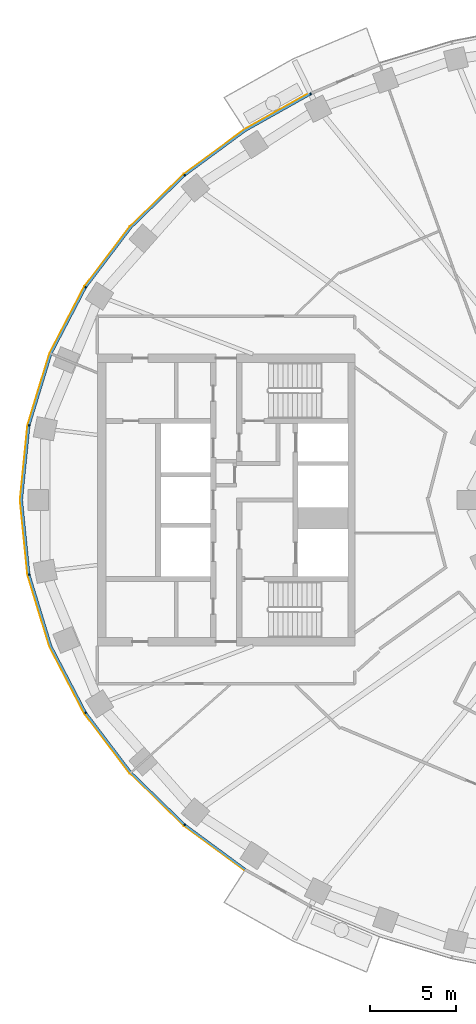
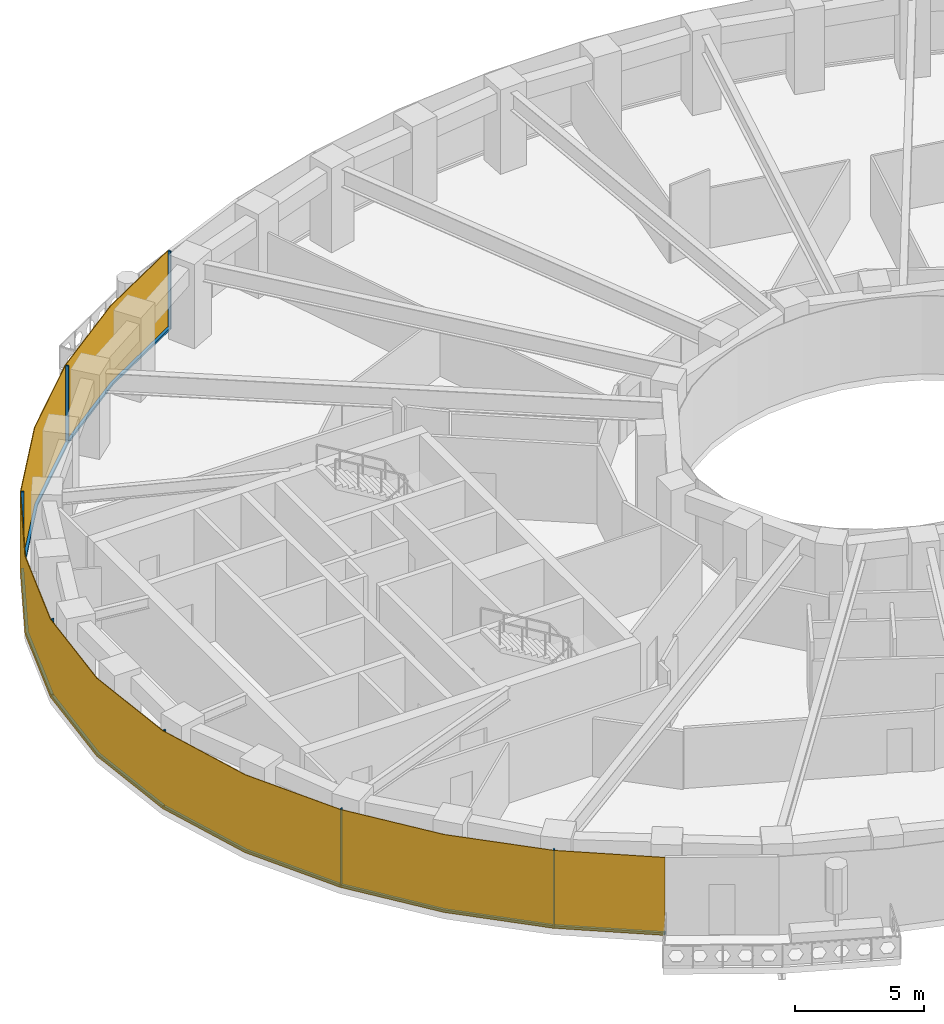
# One storey, part 8 of 15: 14 members, 1 curtain wall.
"""IFC4 building model written with IfcOpenShell, lengths in metres."""

from ifc_helpers import new_model, si_unit, direction, frame, origin, origin_2d, place, context, subcontext, project, spatial, polyline, rectangle, outline, extrude, material, layer, layer_set, material_profile, profile_set, type_object, element, aggregate, save


model = new_model("IFC4")

# Units and contexts
model_context = context("Model", 3, precision=1e-05, world=origin(), true_north=direction((0.0, 1.0)))
body_context = subcontext(model_context, "Body", "Model", "MODEL_VIEW")
ifc_project = project(units=[si_unit("LENGTHUNIT", "METRE"), si_unit("AREAUNIT", "SQUARE_METRE"), si_unit("VOLUMEUNIT", "CUBIC_METRE"), si_unit("PLANEANGLEUNIT", "RADIAN"), si_unit("MASSUNIT", "GRAM", prefix="KILO")], contexts=[model_context])

# Member
ifc_material_1 = material(Name="Aluminium 6063-T6 black anodised", Category="aluminium")
ifc_material_profile = material_profile(ifc_material_1, rectangle(XDim=0.1201171875, YDim=0.06005859375, at=origin_2d()), Name="120x60")
ifc_profile_set = profile_set([ifc_material_profile], Name="Aluminium 6063-T6 black anodised")
member_type_1 = type_object("IfcMemberType", Name="ENV-MULLION-A-120", PredefinedType="MULLION", material=ifc_profile_set)
site_placement = place(None, origin())
building_placement = place(site_placement, origin())
storey_placement = place(building_placement, frame((0.0, 0.0, 170.0)))
member_1_placement = place(storey_placement, frame((-19.06787109375, 23.6474609375, 0.0), z_axis=(0.0, 0.0, 1.0), x_axis=(0.439237769837, -0.898370848563, 0.0)))
member_1 = element("IfcMember", 1, at=member_1_placement, type_object=member_type_1, Name="Mullion A radial 17", PredefinedType="MULLION", context=body_context, shape_type="SweptSolid", body=[
    extrude(rectangle(XDim=0.1201171875, YDim=0.06005859375, at=origin_2d()), origin(), (0.0, 0.0, 1.0), 3.699951171875),
])

member_2_placement = place(storey_placement, frame((-26.403564453125, 18.9130859375, 0.0), z_axis=(0.0, 0.0, 1.0), x_axis=(0.646451313783, -0.762955240435, 0.0)))
member_2 = element("IfcMember", 2, at=member_2_placement, type_object=member_type_1, Name="Mullion A radial 19", PredefinedType="MULLION", context=body_context, shape_type="SweptSolid", body=[
    extrude(rectangle(XDim=0.1201171875, YDim=0.06005859375, at=origin_2d()), origin(), (0.0, 0.0, 1.0), 3.699951171875),
])

member_3_placement = place(storey_placement, frame((-32.177490234375, 12.385498046875, 0.0), z_axis=(0.0, 0.0, 1.0), x_axis=(0.844829880882, -0.53503501976, 0.0)))
member_3 = element("IfcMember", 3, at=member_3_placement, type_object=member_type_1, Name="Mullion A radial 21", PredefinedType="MULLION", context=body_context, shape_type="SweptSolid", body=[
    extrude(rectangle(XDim=0.1201171875, YDim=0.06005859375, at=origin_2d()), origin(), (0.0, 0.0, 1.0), 3.699951171875),
])

member_4_placement = place(storey_placement, frame((-35.470947265625, 4.340576171875, 0.0), z_axis=(0.0, 0.0, 1.0), x_axis=(0.980379083141, -0.19712141776, 0.0)))
member_4 = element("IfcMember", 4, at=member_4_placement, type_object=member_type_1, Name="Mullion A radial 23", PredefinedType="MULLION", context=body_context, shape_type="SweptSolid", body=[
    extrude(rectangle(XDim=0.1201171875, YDim=0.06005859375, at=origin_2d()), origin(), (0.0, 0.0, 1.0), 3.699951171875),
])

member_5_placement = place(storey_placement, frame((-35.470947265625, -4.340576171875, 0.0), z_axis=(0.0, 0.0, 1.0), x_axis=(0.980379083141, 0.19712141776, 0.0)))
member_5 = element("IfcMember", 5, at=member_5_placement, type_object=member_type_1, Name="Mullion A radial 25", PredefinedType="MULLION", context=body_context, shape_type="SweptSolid", body=[
    extrude(rectangle(XDim=0.1201171875, YDim=0.06005859375, at=origin_2d()), origin(), (0.0, 0.0, 1.0), 3.699951171875),
])

member_6_placement = place(storey_placement, frame((-32.177490234375, -12.385498046875, 0.0), z_axis=(0.0, 0.0, 1.0), x_axis=(0.844829880882, 0.53503501976, 0.0)))
member_6 = element("IfcMember", 6, at=member_6_placement, type_object=member_type_1, Name="Mullion A radial 27", PredefinedType="MULLION", context=body_context, shape_type="SweptSolid", body=[
    extrude(rectangle(XDim=0.1201171875, YDim=0.06005859375, at=origin_2d()), origin(), (0.0, 0.0, 1.0), 3.699951171875),
])

member_7_placement = place(storey_placement, frame((-26.403564453125, -18.9130859375, 0.0), z_axis=(0.0, 0.0, 1.0), x_axis=(0.646451313783, 0.762955240435, 0.0)))
member_7 = element("IfcMember", 7, at=member_7_placement, type_object=member_type_1, Name="Mullion A radial 29", PredefinedType="MULLION", context=body_context, shape_type="SweptSolid", body=[
    extrude(rectangle(XDim=0.1201171875, YDim=0.06005859375, at=origin_2d()), origin(), (0.0, 0.0, 1.0), 3.699951171875),
])

ifc_material_2 = material(Name="Aluminium 6063-T6 black anodised", Category="aluminium")
member_type_2 = type_object("IfcMemberType", Name="ENV-TRANSOM-A", PredefinedType="USERDEFINED", material=ifc_material_2)
member_8_placement = place(storey_placement, origin())
member_8 = element("IfcMember", 8, at=member_8_placement, type_object=member_type_2, Name="Transom A radial 17-19", ObjectType="TRANSOM", PredefinedType="USERDEFINED", context=body_context, shape_type="SweptSolid", body=[
    extrude(outline(polyline([(-19.11865234375, 23.687744140625), (-22.9150390625, 21.556884765625), (-26.419921875, 18.975341796875), (-26.342041015625, 18.883544921875), (-22.85009765625, 21.455810546875), (-19.06591796875, 23.57958984375), (-19.11865234375, 23.687744140625)])), origin(), (0.0, 0.0, 1.0), 0.10009765625),
])

member_9_placement = place(storey_placement, origin())
member_9 = element("IfcMember", 9, at=member_9_placement, type_object=member_type_2, Name="Transom A radial 19-21", ObjectType="TRANSOM", PredefinedType="USERDEFINED", context=body_context, shape_type="SweptSolid", body=[
    extrude(outline(polyline([(-26.46240234375, 18.939208984375), (-29.58349609375, 15.906982421875), (-32.211181640625, 12.43994140625), (-32.109375, 12.37548828125), (-29.493408203125, 15.8271484375), (-26.384765625, 18.847412109375), (-26.46240234375, 18.939208984375)])), origin(), (0.0, 0.0, 1.0), 0.10009765625),
])

member_10_placement = place(storey_placement, origin())
member_10 = element("IfcMember", 10, at=member_10_placement, type_object=member_type_2, Name="Transom A radial 21-23", ObjectType="TRANSOM", PredefinedType="USERDEFINED", context=body_context, shape_type="SweptSolid", body=[
    extrude(outline(polyline([(-32.240966796875, 12.392578125), (-34.251220703125, 8.53662109375), (-35.521484375, 4.379150390625), (-35.4033203125, 4.355224609375), (-34.139892578125, 8.490966796875), (-32.139404296875, 12.328369140625), (-32.240966796875, 12.392578125)])), origin(), (0.0, 0.0, 1.0), 0.10009765625),
])

member_11_placement = place(storey_placement, origin())
member_11 = element("IfcMember", 11, at=member_11_placement, type_object=member_type_2, Name="Transom A radial 23-25", ObjectType="TRANSOM", PredefinedType="USERDEFINED", context=body_context, shape_type="SweptSolid", body=[
    extrude(outline(polyline([(-35.532470703125, 4.324462890625), (-35.9677734375, 0.0), (-35.532470703125, -4.324462890625), (-35.414306640625, -4.30078125), (-35.84716796875, 0.0), (-35.414306640625, 4.30078125), (-35.532470703125, 4.324462890625)])), origin(), (0.0, 0.0, 1.0), 0.10009765625),
])

member_12_placement = place(storey_placement, origin())
member_12 = element("IfcMember", 12, at=member_12_placement, type_object=member_type_2, Name="Transom A radial 25-27", ObjectType="TRANSOM", PredefinedType="USERDEFINED", context=body_context, shape_type="SweptSolid", body=[
    extrude(outline(polyline([(-35.521484375, -4.379150390625), (-34.251220703125, -8.53662109375), (-32.240966796875, -12.392578125), (-32.139404296875, -12.328369140625), (-34.139892578125, -8.490966796875), (-35.4033203125, -4.355224609375), (-35.521484375, -4.379150390625)])), origin(), (0.0, 0.0, 1.0), 0.10009765625),
])

member_13_placement = place(storey_placement, origin())
member_13 = element("IfcMember", 13, at=member_13_placement, type_object=member_type_2, Name="Transom A radial 27-29", ObjectType="TRANSOM", PredefinedType="USERDEFINED", context=body_context, shape_type="SweptSolid", body=[
    extrude(outline(polyline([(-32.211181640625, -12.43994140625), (-29.58349609375, -15.906982421875), (-26.46240234375, -18.939208984375), (-26.384765625, -18.847412109375), (-29.493408203125, -15.8271484375), (-32.109375, -12.37548828125), (-32.211181640625, -12.43994140625)])), origin(), (0.0, 0.0, 1.0), 0.10009765625),
])

member_14_placement = place(storey_placement, origin())
member_14 = element("IfcMember", 14, at=member_14_placement, type_object=member_type_2, Name="Transom A radial 29-30", ObjectType="TRANSOM", PredefinedType="USERDEFINED", context=body_context, shape_type="SweptSolid", body=[
    extrude(outline(polyline([(-26.419921875, -18.975341796875), (-22.931396484375, -21.544921875), (-22.8662109375, -21.444091796875), (-26.342041015625, -18.883544921875), (-26.419921875, -18.975341796875)])), origin(), (0.0, 0.0, 1.0), 0.10009765625),
])

# Site, building, storey
site = spatial("IfcSite", under=ifc_project, at=site_placement, CompositionType="ELEMENT")
building = spatial("IfcBuilding", under=site, at=building_placement, Name="Noorbagh Ring Tower", CompositionType="ELEMENT")
storey = spatial("IfcBuildingStorey", under=building, at=storey_placement, Name="L39", CompositionType="ELEMENT", Elevation=170.0)

# Curtain wall
ifc_material_3 = material(Name="Glass dark tinted laminated", Category="glass")
ifc_layer = layer(ifc_material_3, 0.031982421875)
ifc_layer_set = layer_set([ifc_layer], Name="Glass dark tinted laminated")
curtain_wall_type = type_object("IfcCurtainWallType", Name="ENV-CW-A", PredefinedType="NOTDEFINED", material=ifc_layer_set)
curtain_wall_placement = place(storey_placement, origin())
curtain_wall = element("IfcCurtainWall", 15, at=curtain_wall_placement, inside=storey, type_object=curtain_wall_type, Name="Curtain wall A R17", PredefinedType="NOTDEFINED", context=body_context, shape_type="SweptSolid", body=[
    extrude(outline(polyline([(-19.125732421875, 23.720458984375), (-22.9326171875, 21.583740234375), (-26.463134765625, 18.9833984375), (-29.607666015625, 15.927978515625), (-32.255126953125, 12.434814453125), (-34.281005859375, 8.548828125), (-35.561279296875, 4.358642578125), (-36.0, 0.0), (-35.561279296875, -4.358642578125), (-34.281005859375, -8.548828125), (-32.255126953125, -12.434814453125), (-29.607666015625, -15.927978515625), (-26.463134765625, -18.9833984375), (-22.948486328125, -21.572021484375), (-22.931396484375, -21.544921875), (-26.4423828125, -18.958740234375), (-29.58349609375, -15.906982421875), (-32.22802734375, -12.41748046875), (-34.251220703125, -8.53662109375), (-35.529541015625, -4.352294921875), (-35.9677734375, 0.0), (-35.529541015625, 4.352294921875), (-34.251220703125, 8.53662109375), (-32.22802734375, 12.41748046875), (-29.58349609375, 15.906982421875), (-26.4423828125, 18.958740234375), (-22.9150390625, 21.556884765625), (-19.111572265625, 23.691650390625), (-19.125732421875, 23.720458984375)])), origin(), (0.0, 0.0, 1.0), 3.699951171875),
])

aggregate(curtain_wall, [member_1, member_2, member_3, member_4, member_5, member_6, member_7, member_8, member_9, member_10, member_11, member_12, member_13, member_14])

save(model, "model.ifc")
